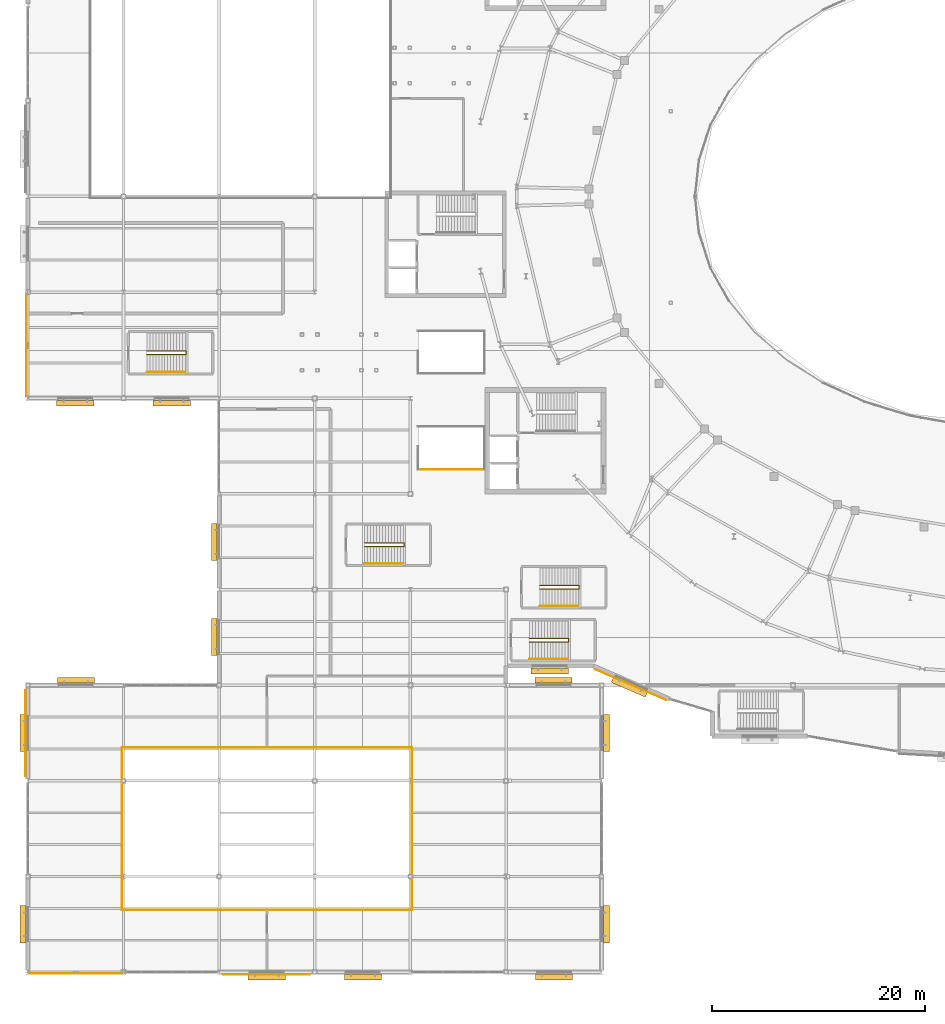
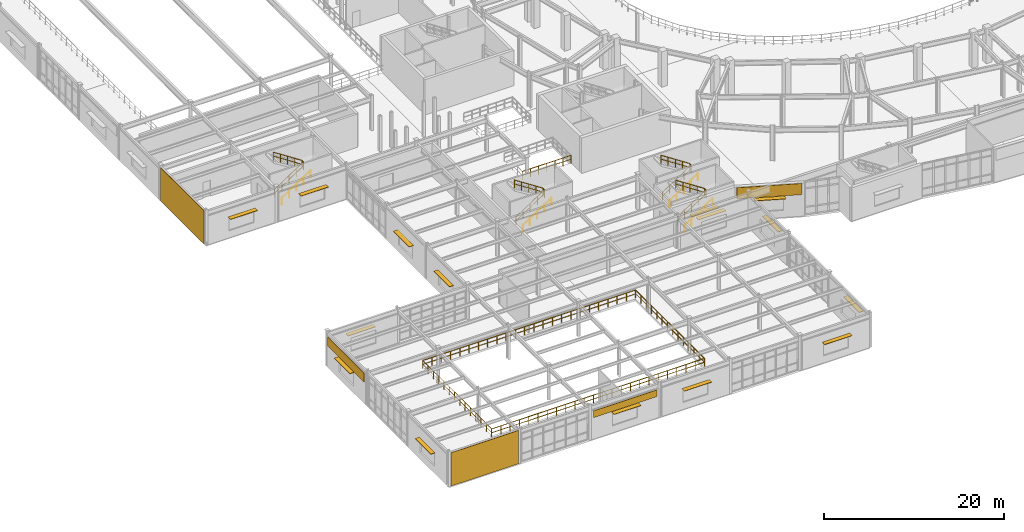
# One storey, part 81 of 86: 15 shading devices, 13 railings, 5 coverings.
"""IFC4 building model written with IfcOpenShell, lengths in metres."""

from ifc_helpers import new_model, si_unit, direction, frame, origin, origin_2d, place, context, subcontext, project, spatial, rectangle, circle, extrude, material, layer, layer_set, type_object, element, save


model = new_model("IFC4")

# Units and contexts
model_context = context("Model", 3, precision=1e-05, world=origin(), true_north=direction((0.0, 1.0)))
body_context = subcontext(model_context, "Body", "Model", "MODEL_VIEW")
ifc_project = project(units=[si_unit("LENGTHUNIT", "METRE"), si_unit("AREAUNIT", "SQUARE_METRE"), si_unit("VOLUMEUNIT", "CUBIC_METRE"), si_unit("PLANEANGLEUNIT", "RADIAN"), si_unit("MASSUNIT", "GRAM", prefix="KILO")], contexts=[model_context])

# Site, building, storey
site_placement = place(None, origin())
site = spatial("IfcSite", under=ifc_project, at=site_placement, CompositionType="ELEMENT")
building_placement = place(site_placement, origin())
building = spatial("IfcBuilding", under=site, at=building_placement, Name="Glasvene Arena", CompositionType="ELEMENT")
storey_placement = place(building_placement, frame((0.0, 0.0, 5.39990234375)))
storey = spatial("IfcBuildingStorey", under=building, at=storey_placement, Name="L01", CompositionType="ELEMENT", Elevation=5.39990234375)

# Coverings
ifc_material_1 = material(Name="Coursed pale Irish limestone", Category="masonry")
ifc_layer_1 = layer(ifc_material_1, 0.050048828125)
ifc_layer_set_1 = layer_set([ifc_layer_1], Name="Coursed pale Irish limestone")
covering_type = type_object("IfcCoveringType", Name="COV-CLAD-LIM", PredefinedType="CLADDING", material=ifc_layer_set_1)
covering_1_placement = place(storey_placement, frame((56.71044921875, 27.044189453125, 2.9501953125), z_axis=(0.0, 0.0, 1.0), x_axis=(-0.917407699357, 0.397948631308, 0.0)))
element("IfcCovering", 1, at=covering_1_placement, inside=storey, type_object=covering_type, Name="Irish limestone spandrel cladding EW-L01-0101", PredefinedType="CLADDING", context=body_context, shape_type="SweptSolid", body=[
    extrude(rectangle(XDim=7.310546875, YDim=0.050048828125, at=origin_2d()), origin(), (0.0, 0.0, 1.0), 1.52001953125),
])
covering_2_placement = place(storey_placement, frame((22.473388671875, -0.219970703125, 2.9501953125), z_axis=(0.0, 0.0, 1.0), x_axis=(-1.0, 0.0, 0.0)))
element("IfcCovering", 2, at=covering_2_placement, inside=storey, type_object=covering_type, Name="Irish limestone spandrel cladding EW-L01-0109", PredefinedType="CLADDING", context=body_context, shape_type="SweptSolid", body=[
    extrude(rectangle(XDim=8.142822265625, YDim=0.050048828125, at=origin_2d()), origin(), (0.0, 0.0, 1.0), 0.907470703125),
])
covering_3_placement = place(storey_placement, frame((4.473388671875, -0.139892578125, 0.0), z_axis=(0.0, 0.0, 1.0), x_axis=(-1.0, 0.0, 0.0)))
element("IfcCovering", 3, at=covering_3_placement, inside=storey, type_object=covering_type, Name="Braced bay architectural cladding screen L01-062", PredefinedType="CLADDING", context=body_context, shape_type="SweptSolid", body=[
    extrude(rectangle(XDim=8.682861328125, YDim=0.050048828125, at=origin_2d()), origin(), (0.0, 0.0, 1.0), 4.52001953125),
])
covering_4_placement = place(storey_placement, frame((-0.219970703125, 22.498291015625, 2.9501953125), z_axis=(0.0, 0.0, 1.0), x_axis=(0.0, 1.0, 0.0)))
element("IfcCovering", 4, at=covering_4_placement, inside=storey, type_object=covering_type, Name="Irish limestone spandrel cladding EW-L01-0111", PredefinedType="CLADDING", context=body_context, shape_type="SweptSolid", body=[
    extrude(rectangle(XDim=8.0927734375, YDim=0.050048828125, at=origin_2d()), origin(), (0.0, 0.0, 1.0), 1.215087890625),
])
covering_5_placement = place(storey_placement, frame((-0.139892578125, 58.9658203125, 0.0), z_axis=(0.0, 0.0, 1.0), x_axis=(0.0, 1.0, 0.0)))
element("IfcCovering", 5, at=covering_5_placement, inside=storey, type_object=covering_type, Name="Braced bay architectural cladding screen L01-073", PredefinedType="CLADDING", context=body_context, shape_type="SweptSolid", body=[
    extrude(rectangle(XDim=9.647216796875, YDim=0.050048828125, at=origin_2d()), origin(), (0.0, 0.0, 1.0), 4.52001953125),
])

# Railings
ifc_material_2 = material(Name="Brushed stainless steel", Category="steel")
railing_type_1 = type_object("IfcRailingType", Name="RL-GUARD-1100", PredefinedType="GUARDRAIL", material=ifc_material_2)
railing_1_placement = place(storey_placement, frame((48.199951171875, 36.06005859375, 0.0)))
element("IfcRailing", 6, at=railing_1_placement, inside=storey, type_object=railing_type_1, Name="Stair inner well continuous guardrail ST-05-L01", PredefinedType="GUARDRAIL", context=body_context, shape_type="SweptSolid", body=[
    extrude(circle(Radius=0.02392578125, at=origin_2d()), frame((0.0, 0.0, 1.076171875), z_axis=(0.837590697589, 0.0, 0.546298291515), x_axis=(0.0, 1.0, 0.0)), (0.0, 0.0, 1.0), 4.3935546875),
    extrude(circle(Radius=0.01611328125, at=origin_2d()), frame((0.0, 0.0, 0.550048828125), z_axis=(0.837590697589, 0.0, 0.546298291515), x_axis=(0.0, 1.0, 0.0)), (0.0, 0.0, 1.0), 4.3935546875),
    extrude(circle(Radius=0.02392578125, at=origin_2d()), frame((3.679931640625, 0.0, 3.47607421875), z_axis=(0.0, 1.0, 0.0), x_axis=(-1.0, 0.0, 0.0)), (0.0, 0.0, 1.0), 0.329833984375),
    extrude(circle(Radius=0.01611328125, at=origin_2d()), frame((3.679931640625, 0.0, 2.9501953125), z_axis=(0.0, 1.0, 0.0), x_axis=(-1.0, 0.0, 0.0)), (0.0, 0.0, 1.0), 0.329833984375),
    extrude(circle(Radius=0.02392578125, at=origin_2d()), frame((3.679931640625, 0.329833984375, 3.47607421875), z_axis=(-0.837616124378, 0.0, 0.546259304892), x_axis=(0.0, -1.0, 0.0)), (0.0, 0.0, 1.0), 4.393310546875),
    extrude(circle(Radius=0.01611328125, at=origin_2d()), frame((3.679931640625, 0.329833984375, 2.9501953125), z_axis=(-0.837616124378, 0.0, 0.546259304892), x_axis=(0.0, -1.0, 0.0)), (0.0, 0.0, 1.0), 4.393310546875),
    extrude(circle(Radius=0.02099609375, at=origin_2d()), origin(), (0.0, 0.0, 1.0), 1.052001953125),
    extrude(circle(Radius=0.02099609375, at=origin_2d()), frame((0.919921875, 0.0, 0.60009765625)), (0.0, 0.0, 1.0), 1.052001953125),
    extrude(circle(Radius=0.02099609375, at=origin_2d()), frame((1.83984375, 0.0, 1.2001953125)), (0.0, 0.0, 1.0), 1.052001953125),
    extrude(circle(Radius=0.02099609375, at=origin_2d()), frame((2.760009765625, 0.0, 1.800048828125)), (0.0, 0.0, 1.0), 1.052001953125),
    extrude(circle(Radius=0.02099609375, at=origin_2d()), frame((3.679931640625, 0.0, 2.400146484375)), (0.0, 0.0, 1.0), 1.052001953125),
    extrude(circle(Radius=0.02099609375, at=origin_2d()), frame((3.679931640625, 0.329833984375, 2.400146484375)), (0.0, 0.0, 1.0), 1.052001953125),
    extrude(circle(Radius=0.02099609375, at=origin_2d()), frame((2.760009765625, 0.329833984375, 3.0)), (0.0, 0.0, 1.0), 1.052001953125),
    extrude(circle(Radius=0.02099609375, at=origin_2d()), frame((1.83984375, 0.329833984375, 3.60009765625)), (0.0, 0.0, 1.0), 1.052001953125),
    extrude(circle(Radius=0.02099609375, at=origin_2d()), frame((0.919921875, 0.329833984375, 4.2001953125)), (0.0, 0.0, 1.0), 1.052001953125),
    extrude(circle(Radius=0.02099609375, at=origin_2d()), frame((0.0, 0.329833984375, 4.800048828125)), (0.0, 0.0, 1.0), 1.052001953125),
])
railing_2_placement = place(storey_placement, frame((11.199951171875, 58.110107421875, 0.0)))
element("IfcRailing", 7, at=railing_2_placement, inside=storey, type_object=railing_type_1, Name="Stair inner well continuous guardrail ST-13-L01", PredefinedType="GUARDRAIL", context=body_context, shape_type="SweptSolid", body=[
    extrude(circle(Radius=0.02392578125, at=origin_2d()), frame((0.0, 0.0, 1.076171875), z_axis=(0.837590697589, 0.0, 0.546298291515), x_axis=(0.0, 1.0, 0.0)), (0.0, 0.0, 1.0), 4.3935546875),
    extrude(circle(Radius=0.01611328125, at=origin_2d()), frame((0.0, 0.0, 0.550048828125), z_axis=(0.837590697589, 0.0, 0.546298291515), x_axis=(0.0, 1.0, 0.0)), (0.0, 0.0, 1.0), 4.3935546875),
    extrude(circle(Radius=0.02392578125, at=origin_2d()), frame((3.679931640625, 0.0, 3.47607421875), z_axis=(0.0, 1.0, 0.0), x_axis=(-1.0, 0.0, 0.0)), (0.0, 0.0, 1.0), 0.329833984375),
    extrude(circle(Radius=0.01611328125, at=origin_2d()), frame((3.679931640625, 0.0, 2.9501953125), z_axis=(0.0, 1.0, 0.0), x_axis=(-1.0, 0.0, 0.0)), (0.0, 0.0, 1.0), 0.329833984375),
    extrude(circle(Radius=0.02392578125, at=origin_2d()), frame((3.679931640625, 0.329833984375, 3.47607421875), z_axis=(-0.837616124378, 0.0, 0.546259304892), x_axis=(0.0, -1.0, 0.0)), (0.0, 0.0, 1.0), 4.393310546875),
    extrude(circle(Radius=0.01611328125, at=origin_2d()), frame((3.679931640625, 0.329833984375, 2.9501953125), z_axis=(-0.837616124378, 0.0, 0.546259304892), x_axis=(0.0, -1.0, 0.0)), (0.0, 0.0, 1.0), 4.393310546875),
    extrude(circle(Radius=0.02099609375, at=origin_2d()), origin(), (0.0, 0.0, 1.0), 1.052001953125),
    extrude(circle(Radius=0.02099609375, at=origin_2d()), frame((0.919921875, 0.0, 0.60009765625)), (0.0, 0.0, 1.0), 1.052001953125),
    extrude(circle(Radius=0.02099609375, at=origin_2d()), frame((1.83984375, 0.0, 1.2001953125)), (0.0, 0.0, 1.0), 1.052001953125),
    extrude(circle(Radius=0.02099609375, at=origin_2d()), frame((2.760009765625, 0.0, 1.800048828125)), (0.0, 0.0, 1.0), 1.052001953125),
    extrude(circle(Radius=0.02099609375, at=origin_2d()), frame((3.679931640625, 0.0, 2.400146484375)), (0.0, 0.0, 1.0), 1.052001953125),
    extrude(circle(Radius=0.02099609375, at=origin_2d()), frame((3.679931640625, 0.329833984375, 2.400146484375)), (0.0, 0.0, 1.0), 1.052001953125),
    extrude(circle(Radius=0.02099609375, at=origin_2d()), frame((2.760009765625, 0.329833984375, 3.0)), (0.0, 0.0, 1.0), 1.052001953125),
    extrude(circle(Radius=0.02099609375, at=origin_2d()), frame((1.83984375, 0.329833984375, 3.60009765625)), (0.0, 0.0, 1.0), 1.052001953125),
    extrude(circle(Radius=0.02099609375, at=origin_2d()), frame((0.919921875, 0.329833984375, 4.2001953125)), (0.0, 0.0, 1.0), 1.052001953125),
    extrude(circle(Radius=0.02099609375, at=origin_2d()), frame((0.0, 0.329833984375, 4.800048828125)), (0.0, 0.0, 1.0), 1.052001953125),
])
railing_3_placement = place(storey_placement, frame((31.699951171875, 40.06005859375, 0.0)))
element("IfcRailing", 8, at=railing_3_placement, inside=storey, type_object=railing_type_1, Name="Stair inner well continuous guardrail ST-15-L01", PredefinedType="GUARDRAIL", context=body_context, shape_type="SweptSolid", body=[
    extrude(circle(Radius=0.02392578125, at=origin_2d()), frame((0.0, 0.0, 1.076171875), z_axis=(0.837590697589, 0.0, 0.546298291515), x_axis=(0.0, 1.0, 0.0)), (0.0, 0.0, 1.0), 4.3935546875),
    extrude(circle(Radius=0.01611328125, at=origin_2d()), frame((0.0, 0.0, 0.550048828125), z_axis=(0.837590697589, 0.0, 0.546298291515), x_axis=(0.0, 1.0, 0.0)), (0.0, 0.0, 1.0), 4.3935546875),
    extrude(circle(Radius=0.02392578125, at=origin_2d()), frame((3.679931640625, 0.0, 3.47607421875), z_axis=(0.0, 1.0, 0.0), x_axis=(-1.0, 0.0, 0.0)), (0.0, 0.0, 1.0), 0.329833984375),
    extrude(circle(Radius=0.01611328125, at=origin_2d()), frame((3.679931640625, 0.0, 2.9501953125), z_axis=(0.0, 1.0, 0.0), x_axis=(-1.0, 0.0, 0.0)), (0.0, 0.0, 1.0), 0.329833984375),
    extrude(circle(Radius=0.02392578125, at=origin_2d()), frame((3.679931640625, 0.329833984375, 3.47607421875), z_axis=(-0.837616124378, 0.0, 0.546259304892), x_axis=(0.0, -1.0, 0.0)), (0.0, 0.0, 1.0), 4.393310546875),
    extrude(circle(Radius=0.01611328125, at=origin_2d()), frame((3.679931640625, 0.329833984375, 2.9501953125), z_axis=(-0.837616124378, 0.0, 0.546259304892), x_axis=(0.0, -1.0, 0.0)), (0.0, 0.0, 1.0), 4.393310546875),
    extrude(circle(Radius=0.02099609375, at=origin_2d()), origin(), (0.0, 0.0, 1.0), 1.052001953125),
    extrude(circle(Radius=0.02099609375, at=origin_2d()), frame((0.919921875, 0.0, 0.60009765625)), (0.0, 0.0, 1.0), 1.052001953125),
    extrude(circle(Radius=0.02099609375, at=origin_2d()), frame((1.83984375, 0.0, 1.2001953125)), (0.0, 0.0, 1.0), 1.052001953125),
    extrude(circle(Radius=0.02099609375, at=origin_2d()), frame((2.760009765625, 0.0, 1.800048828125)), (0.0, 0.0, 1.0), 1.052001953125),
    extrude(circle(Radius=0.02099609375, at=origin_2d()), frame((3.679931640625, 0.0, 2.400146484375)), (0.0, 0.0, 1.0), 1.052001953125),
    extrude(circle(Radius=0.02099609375, at=origin_2d()), frame((3.679931640625, 0.329833984375, 2.400146484375)), (0.0, 0.0, 1.0), 1.052001953125),
    extrude(circle(Radius=0.02099609375, at=origin_2d()), frame((2.760009765625, 0.329833984375, 3.0)), (0.0, 0.0, 1.0), 1.052001953125),
    extrude(circle(Radius=0.02099609375, at=origin_2d()), frame((1.83984375, 0.329833984375, 3.60009765625)), (0.0, 0.0, 1.0), 1.052001953125),
    extrude(circle(Radius=0.02099609375, at=origin_2d()), frame((0.919921875, 0.329833984375, 4.2001953125)), (0.0, 0.0, 1.0), 1.052001953125),
    extrude(circle(Radius=0.02099609375, at=origin_2d()), frame((0.0, 0.329833984375, 4.800048828125)), (0.0, 0.0, 1.0), 1.052001953125),
])
railing_4_placement = place(storey_placement, frame((47.199951171875, 31.06005859375, 0.0)))
element("IfcRailing", 9, at=railing_4_placement, inside=storey, type_object=railing_type_1, Name="Stair inner well continuous guardrail ST-16-L01", PredefinedType="GUARDRAIL", context=body_context, shape_type="SweptSolid", body=[
    extrude(circle(Radius=0.02392578125, at=origin_2d()), frame((0.0, 0.0, 1.076171875), z_axis=(0.837590697589, 0.0, 0.546298291515), x_axis=(0.0, 1.0, 0.0)), (0.0, 0.0, 1.0), 4.3935546875),
    extrude(circle(Radius=0.01611328125, at=origin_2d()), frame((0.0, 0.0, 0.550048828125), z_axis=(0.837590697589, 0.0, 0.546298291515), x_axis=(0.0, 1.0, 0.0)), (0.0, 0.0, 1.0), 4.3935546875),
    extrude(circle(Radius=0.02392578125, at=origin_2d()), frame((3.679931640625, 0.0, 3.47607421875), z_axis=(0.0, 1.0, 0.0), x_axis=(-1.0, 0.0, 0.0)), (0.0, 0.0, 1.0), 0.329833984375),
    extrude(circle(Radius=0.01611328125, at=origin_2d()), frame((3.679931640625, 0.0, 2.9501953125), z_axis=(0.0, 1.0, 0.0), x_axis=(-1.0, 0.0, 0.0)), (0.0, 0.0, 1.0), 0.329833984375),
    extrude(circle(Radius=0.02392578125, at=origin_2d()), frame((3.679931640625, 0.329833984375, 3.47607421875), z_axis=(-0.837616124378, 0.0, 0.546259304892), x_axis=(0.0, -1.0, 0.0)), (0.0, 0.0, 1.0), 4.393310546875),
    extrude(circle(Radius=0.01611328125, at=origin_2d()), frame((3.679931640625, 0.329833984375, 2.9501953125), z_axis=(-0.837616124378, 0.0, 0.546259304892), x_axis=(0.0, -1.0, 0.0)), (0.0, 0.0, 1.0), 4.393310546875),
    extrude(circle(Radius=0.02099609375, at=origin_2d()), origin(), (0.0, 0.0, 1.0), 1.052001953125),
    extrude(circle(Radius=0.02099609375, at=origin_2d()), frame((0.919921875, 0.0, 0.60009765625)), (0.0, 0.0, 1.0), 1.052001953125),
    extrude(circle(Radius=0.02099609375, at=origin_2d()), frame((1.83984375, 0.0, 1.2001953125)), (0.0, 0.0, 1.0), 1.052001953125),
    extrude(circle(Radius=0.02099609375, at=origin_2d()), frame((2.760009765625, 0.0, 1.800048828125)), (0.0, 0.0, 1.0), 1.052001953125),
    extrude(circle(Radius=0.02099609375, at=origin_2d()), frame((3.679931640625, 0.0, 2.400146484375)), (0.0, 0.0, 1.0), 1.052001953125),
    extrude(circle(Radius=0.02099609375, at=origin_2d()), frame((3.679931640625, 0.329833984375, 2.400146484375)), (0.0, 0.0, 1.0), 1.052001953125),
    extrude(circle(Radius=0.02099609375, at=origin_2d()), frame((2.760009765625, 0.329833984375, 3.0)), (0.0, 0.0, 1.0), 1.052001953125),
    extrude(circle(Radius=0.02099609375, at=origin_2d()), frame((1.83984375, 0.329833984375, 3.60009765625)), (0.0, 0.0, 1.0), 1.052001953125),
    extrude(circle(Radius=0.02099609375, at=origin_2d()), frame((0.919921875, 0.329833984375, 4.2001953125)), (0.0, 0.0, 1.0), 1.052001953125),
    extrude(circle(Radius=0.02099609375, at=origin_2d()), frame((0.0, 0.329833984375, 4.800048828125)), (0.0, 0.0, 1.0), 1.052001953125),
])
railing_5_placement = place(storey_placement, frame((36.719970703125, 47.320068359375, 0.0)))
element("IfcRailing", 10, at=railing_5_placement, inside=storey, type_object=railing_type_1, Name="Safety guardrail GD-VOM-01-TOP-002", PredefinedType="GUARDRAIL", context=body_context, shape_type="SweptSolid", body=[
    extrude(circle(Radius=0.02392578125, at=origin_2d()), frame((0.0, 0.0, 1.076171875), z_axis=(1.0, 0.0, 0.0), x_axis=(0.0, 1.0, 0.0)), (0.0, 0.0, 1.0), 6.260009765625),
    extrude(circle(Radius=0.01611328125, at=origin_2d()), frame((0.0, 0.0, 0.550048828125), z_axis=(1.0, 0.0, 0.0), x_axis=(0.0, 1.0, 0.0)), (0.0, 0.0, 1.0), 6.260009765625),
    extrude(circle(Radius=0.02099609375, at=origin_2d()), origin(), (0.0, 0.0, 1.0), 1.052001953125),
    extrude(circle(Radius=0.02099609375, at=origin_2d()), frame((1.04345703125, 0.0, 0.0)), (0.0, 0.0, 1.0), 1.052001953125),
    extrude(circle(Radius=0.02099609375, at=origin_2d()), frame((2.086669921875, 0.0, 0.0)), (0.0, 0.0, 1.0), 1.052001953125),
    extrude(circle(Radius=0.02099609375, at=origin_2d()), frame((3.1298828125, 0.0, 0.0)), (0.0, 0.0, 1.0), 1.052001953125),
    extrude(circle(Radius=0.02099609375, at=origin_2d()), frame((4.17333984375, 0.0, 0.0)), (0.0, 0.0, 1.0), 1.052001953125),
    extrude(circle(Radius=0.02099609375, at=origin_2d()), frame((5.216796875, 0.0, 0.0)), (0.0, 0.0, 1.0), 1.052001953125),
    extrude(circle(Radius=0.02099609375, at=origin_2d()), frame((6.260009765625, 0.0, 0.0)), (0.0, 0.0, 1.0), 1.052001953125),
])
railing_6_placement = place(storey_placement, frame((8.85009765625, 5.85009765625, 0.0)))
element("IfcRailing", 11, at=railing_6_placement, inside=storey, type_object=railing_type_1, Name="Safety guardrail GD-ATR-FOY-001", PredefinedType="GUARDRAIL", context=body_context, shape_type="SweptSolid", body=[
    extrude(circle(Radius=0.02392578125, at=origin_2d()), frame((0.0, 0.0, 1.076171875), z_axis=(1.0, 0.0, 0.0), x_axis=(0.0, 1.0, 0.0)), (0.0, 0.0, 1.0), 27.2998046875),
    extrude(circle(Radius=0.01611328125, at=origin_2d()), frame((0.0, 0.0, 0.550048828125), z_axis=(1.0, 0.0, 0.0), x_axis=(0.0, 1.0, 0.0)), (0.0, 0.0, 1.0), 27.2998046875),
    extrude(circle(Radius=0.02099609375, at=origin_2d()), origin(), (0.0, 0.0, 1.0), 1.052001953125),
    extrude(circle(Radius=0.02099609375, at=origin_2d()), frame((1.18701171875, 0.0, 0.0)), (0.0, 0.0, 1.0), 1.052001953125),
    extrude(circle(Radius=0.02099609375, at=origin_2d()), frame((2.373779296875, 0.0, 0.0)), (0.0, 0.0, 1.0), 1.052001953125),
    extrude(circle(Radius=0.02099609375, at=origin_2d()), frame((3.560791015625, 0.0, 0.0)), (0.0, 0.0, 1.0), 1.052001953125),
    extrude(circle(Radius=0.02099609375, at=origin_2d()), frame((4.747802734375, 0.0, 0.0)), (0.0, 0.0, 1.0), 1.052001953125),
    extrude(circle(Radius=0.02099609375, at=origin_2d()), frame((5.934814453125, 0.0, 0.0)), (0.0, 0.0, 1.0), 1.052001953125),
    extrude(circle(Radius=0.02099609375, at=origin_2d()), frame((7.12158203125, 0.0, 0.0)), (0.0, 0.0, 1.0), 1.052001953125),
    extrude(circle(Radius=0.02099609375, at=origin_2d()), frame((8.30859375, 0.0, 0.0)), (0.0, 0.0, 1.0), 1.052001953125),
    extrude(circle(Radius=0.02099609375, at=origin_2d()), frame((9.49560546875, 0.0, 0.0)), (0.0, 0.0, 1.0), 1.052001953125),
    extrude(circle(Radius=0.02099609375, at=origin_2d()), frame((10.6826171875, 0.0, 0.0)), (0.0, 0.0, 1.0), 1.052001953125),
    extrude(circle(Radius=0.02099609375, at=origin_2d()), frame((11.869384765625, 0.0, 0.0)), (0.0, 0.0, 1.0), 1.052001953125),
    extrude(circle(Radius=0.02099609375, at=origin_2d()), frame((13.056396484375, 0.0, 0.0)), (0.0, 0.0, 1.0), 1.052001953125),
    extrude(circle(Radius=0.02099609375, at=origin_2d()), frame((14.243408203125, 0.0, 0.0)), (0.0, 0.0, 1.0), 1.052001953125),
    extrude(circle(Radius=0.02099609375, at=origin_2d()), frame((15.430419921875, 0.0, 0.0)), (0.0, 0.0, 1.0), 1.052001953125),
    extrude(circle(Radius=0.02099609375, at=origin_2d()), frame((16.6171875, 0.0, 0.0)), (0.0, 0.0, 1.0), 1.052001953125),
    extrude(circle(Radius=0.02099609375, at=origin_2d()), frame((17.80419921875, 0.0, 0.0)), (0.0, 0.0, 1.0), 1.052001953125),
    extrude(circle(Radius=0.02099609375, at=origin_2d()), frame((18.9912109375, 0.0, 0.0)), (0.0, 0.0, 1.0), 1.052001953125),
    extrude(circle(Radius=0.02099609375, at=origin_2d()), frame((20.17822265625, 0.0, 0.0)), (0.0, 0.0, 1.0), 1.052001953125),
    extrude(circle(Radius=0.02099609375, at=origin_2d()), frame((21.364990234375, 0.0, 0.0)), (0.0, 0.0, 1.0), 1.052001953125),
    extrude(circle(Radius=0.02099609375, at=origin_2d()), frame((22.552001953125, 0.0, 0.0)), (0.0, 0.0, 1.0), 1.052001953125),
    extrude(circle(Radius=0.02099609375, at=origin_2d()), frame((23.739013671875, 0.0, 0.0)), (0.0, 0.0, 1.0), 1.052001953125),
    extrude(circle(Radius=0.02099609375, at=origin_2d()), frame((24.926025390625, 0.0, 0.0)), (0.0, 0.0, 1.0), 1.052001953125),
    extrude(circle(Radius=0.02099609375, at=origin_2d()), frame((26.11279296875, 0.0, 0.0)), (0.0, 0.0, 1.0), 1.052001953125),
    extrude(circle(Radius=0.02099609375, at=origin_2d()), frame((27.2998046875, 0.0, 0.0)), (0.0, 0.0, 1.0), 1.052001953125),
])
railing_7_placement = place(storey_placement, frame((36.14990234375, 5.85009765625, 0.0)))
element("IfcRailing", 12, at=railing_7_placement, inside=storey, type_object=railing_type_1, Name="Safety guardrail GD-ATR-FOY-002", PredefinedType="GUARDRAIL", context=body_context, shape_type="SweptSolid", body=[
    extrude(circle(Radius=0.02392578125, at=origin_2d()), frame((0.0, 0.0, 1.076171875), z_axis=(0.0, 1.0, 0.0), x_axis=(-1.0, 0.0, 0.0)), (0.0, 0.0, 1.0), 15.2998046875),
    extrude(circle(Radius=0.01611328125, at=origin_2d()), frame((0.0, 0.0, 0.550048828125), z_axis=(0.0, 1.0, 0.0), x_axis=(-1.0, 0.0, 0.0)), (0.0, 0.0, 1.0), 15.2998046875),
    extrude(circle(Radius=0.02099609375, at=origin_2d()), origin(), (0.0, 0.0, 1.0), 1.052001953125),
    extrude(circle(Radius=0.02099609375, at=origin_2d()), frame((0.0, 1.177001953125, 0.0)), (0.0, 0.0, 1.0), 1.052001953125),
    extrude(circle(Radius=0.02099609375, at=origin_2d()), frame((0.0, 2.353759765625, 0.0)), (0.0, 0.0, 1.0), 1.052001953125),
    extrude(circle(Radius=0.02099609375, at=origin_2d()), frame((0.0, 3.53076171875, 0.0)), (0.0, 0.0, 1.0), 1.052001953125),
    extrude(circle(Radius=0.02099609375, at=origin_2d()), frame((0.0, 4.70751953125, 0.0)), (0.0, 0.0, 1.0), 1.052001953125),
    extrude(circle(Radius=0.02099609375, at=origin_2d()), frame((0.0, 5.884521484375, 0.0)), (0.0, 0.0, 1.0), 1.052001953125),
    extrude(circle(Radius=0.02099609375, at=origin_2d()), frame((0.0, 7.0615234375, 0.0)), (0.0, 0.0, 1.0), 1.052001953125),
    extrude(circle(Radius=0.02099609375, at=origin_2d()), frame((0.0, 8.23828125, 0.0)), (0.0, 0.0, 1.0), 1.052001953125),
    extrude(circle(Radius=0.02099609375, at=origin_2d()), frame((0.0, 9.415283203125, 0.0)), (0.0, 0.0, 1.0), 1.052001953125),
    extrude(circle(Radius=0.02099609375, at=origin_2d()), frame((0.0, 10.59228515625, 0.0)), (0.0, 0.0, 1.0), 1.052001953125),
    extrude(circle(Radius=0.02099609375, at=origin_2d()), frame((0.0, 11.76904296875, 0.0)), (0.0, 0.0, 1.0), 1.052001953125),
    extrude(circle(Radius=0.02099609375, at=origin_2d()), frame((0.0, 12.946044921875, 0.0)), (0.0, 0.0, 1.0), 1.052001953125),
    extrude(circle(Radius=0.02099609375, at=origin_2d()), frame((0.0, 14.122802734375, 0.0)), (0.0, 0.0, 1.0), 1.052001953125),
    extrude(circle(Radius=0.02099609375, at=origin_2d()), frame((0.0, 15.2998046875, 0.0)), (0.0, 0.0, 1.0), 1.052001953125),
])
railing_8_placement = place(storey_placement, frame((36.14990234375, 21.14990234375, 0.0)))
element("IfcRailing", 13, at=railing_8_placement, inside=storey, type_object=railing_type_1, Name="Safety guardrail GD-ATR-FOY-003", PredefinedType="GUARDRAIL", context=body_context, shape_type="SweptSolid", body=[
    extrude(circle(Radius=0.02392578125, at=origin_2d()), frame((0.0, 0.0, 1.076171875), z_axis=(-1.0, 0.0, 0.0), x_axis=(0.0, -1.0, 0.0)), (0.0, 0.0, 1.0), 27.2998046875),
    extrude(circle(Radius=0.01611328125, at=origin_2d()), frame((0.0, 0.0, 0.550048828125), z_axis=(-1.0, 0.0, 0.0), x_axis=(0.0, -1.0, 0.0)), (0.0, 0.0, 1.0), 27.2998046875),
    extrude(circle(Radius=0.02099609375, at=origin_2d()), origin(), (0.0, 0.0, 1.0), 1.052001953125),
    extrude(circle(Radius=0.02099609375, at=origin_2d()), frame((-1.18701171875, 0.0, 0.0)), (0.0, 0.0, 1.0), 1.052001953125),
    extrude(circle(Radius=0.02099609375, at=origin_2d()), frame((-2.373779296875, 0.0, 0.0)), (0.0, 0.0, 1.0), 1.052001953125),
    extrude(circle(Radius=0.02099609375, at=origin_2d()), frame((-3.560791015625, 0.0, 0.0)), (0.0, 0.0, 1.0), 1.052001953125),
    extrude(circle(Radius=0.02099609375, at=origin_2d()), frame((-4.747802734375, 0.0, 0.0)), (0.0, 0.0, 1.0), 1.052001953125),
    extrude(circle(Radius=0.02099609375, at=origin_2d()), frame((-5.934814453125, 0.0, 0.0)), (0.0, 0.0, 1.0), 1.052001953125),
    extrude(circle(Radius=0.02099609375, at=origin_2d()), frame((-7.12158203125, 0.0, 0.0)), (0.0, 0.0, 1.0), 1.052001953125),
    extrude(circle(Radius=0.02099609375, at=origin_2d()), frame((-8.30859375, 0.0, 0.0)), (0.0, 0.0, 1.0), 1.052001953125),
    extrude(circle(Radius=0.02099609375, at=origin_2d()), frame((-9.49560546875, 0.0, 0.0)), (0.0, 0.0, 1.0), 1.052001953125),
    extrude(circle(Radius=0.02099609375, at=origin_2d()), frame((-10.6826171875, 0.0, 0.0)), (0.0, 0.0, 1.0), 1.052001953125),
    extrude(circle(Radius=0.02099609375, at=origin_2d()), frame((-11.869384765625, 0.0, 0.0)), (0.0, 0.0, 1.0), 1.052001953125),
    extrude(circle(Radius=0.02099609375, at=origin_2d()), frame((-13.056396484375, 0.0, 0.0)), (0.0, 0.0, 1.0), 1.052001953125),
    extrude(circle(Radius=0.02099609375, at=origin_2d()), frame((-14.243408203125, 0.0, 0.0)), (0.0, 0.0, 1.0), 1.052001953125),
    extrude(circle(Radius=0.02099609375, at=origin_2d()), frame((-15.430419921875, 0.0, 0.0)), (0.0, 0.0, 1.0), 1.052001953125),
    extrude(circle(Radius=0.02099609375, at=origin_2d()), frame((-16.6171875, 0.0, 0.0)), (0.0, 0.0, 1.0), 1.052001953125),
    extrude(circle(Radius=0.02099609375, at=origin_2d()), frame((-17.80419921875, 0.0, 0.0)), (0.0, 0.0, 1.0), 1.052001953125),
    extrude(circle(Radius=0.02099609375, at=origin_2d()), frame((-18.9912109375, 0.0, 0.0)), (0.0, 0.0, 1.0), 1.052001953125),
    extrude(circle(Radius=0.02099609375, at=origin_2d()), frame((-20.17822265625, 0.0, 0.0)), (0.0, 0.0, 1.0), 1.052001953125),
    extrude(circle(Radius=0.02099609375, at=origin_2d()), frame((-21.364990234375, 0.0, 0.0)), (0.0, 0.0, 1.0), 1.052001953125),
    extrude(circle(Radius=0.02099609375, at=origin_2d()), frame((-22.552001953125, 0.0, 0.0)), (0.0, 0.0, 1.0), 1.052001953125),
    extrude(circle(Radius=0.02099609375, at=origin_2d()), frame((-23.739013671875, 0.0, 0.0)), (0.0, 0.0, 1.0), 1.052001953125),
    extrude(circle(Radius=0.02099609375, at=origin_2d()), frame((-24.926025390625, 0.0, 0.0)), (0.0, 0.0, 1.0), 1.052001953125),
    extrude(circle(Radius=0.02099609375, at=origin_2d()), frame((-26.11279296875, 0.0, 0.0)), (0.0, 0.0, 1.0), 1.052001953125),
    extrude(circle(Radius=0.02099609375, at=origin_2d()), frame((-27.2998046875, 0.0, 0.0)), (0.0, 0.0, 1.0), 1.052001953125),
])
railing_9_placement = place(storey_placement, frame((8.85009765625, 21.14990234375, 0.0)))
element("IfcRailing", 14, at=railing_9_placement, inside=storey, type_object=railing_type_1, Name="Safety guardrail GD-ATR-FOY-004", PredefinedType="GUARDRAIL", context=body_context, shape_type="SweptSolid", body=[
    extrude(circle(Radius=0.02392578125, at=origin_2d()), frame((0.0, 0.0, 1.076171875), z_axis=(0.0, -1.0, 0.0), x_axis=(1.0, 0.0, 0.0)), (0.0, 0.0, 1.0), 15.2998046875),
    extrude(circle(Radius=0.01611328125, at=origin_2d()), frame((0.0, 0.0, 0.550048828125), z_axis=(0.0, -1.0, 0.0), x_axis=(1.0, 0.0, 0.0)), (0.0, 0.0, 1.0), 15.2998046875),
    extrude(circle(Radius=0.02099609375, at=origin_2d()), origin(), (0.0, 0.0, 1.0), 1.052001953125),
    extrude(circle(Radius=0.02099609375, at=origin_2d()), frame((0.0, -1.177001953125, 0.0)), (0.0, 0.0, 1.0), 1.052001953125),
    extrude(circle(Radius=0.02099609375, at=origin_2d()), frame((0.0, -2.353759765625, 0.0)), (0.0, 0.0, 1.0), 1.052001953125),
    extrude(circle(Radius=0.02099609375, at=origin_2d()), frame((0.0, -3.53076171875, 0.0)), (0.0, 0.0, 1.0), 1.052001953125),
    extrude(circle(Radius=0.02099609375, at=origin_2d()), frame((0.0, -4.70751953125, 0.0)), (0.0, 0.0, 1.0), 1.052001953125),
    extrude(circle(Radius=0.02099609375, at=origin_2d()), frame((0.0, -5.884521484375, 0.0)), (0.0, 0.0, 1.0), 1.052001953125),
    extrude(circle(Radius=0.02099609375, at=origin_2d()), frame((0.0, -7.0615234375, 0.0)), (0.0, 0.0, 1.0), 1.052001953125),
    extrude(circle(Radius=0.02099609375, at=origin_2d()), frame((0.0, -8.23828125, 0.0)), (0.0, 0.0, 1.0), 1.052001953125),
    extrude(circle(Radius=0.02099609375, at=origin_2d()), frame((0.0, -9.415283203125, 0.0)), (0.0, 0.0, 1.0), 1.052001953125),
    extrude(circle(Radius=0.02099609375, at=origin_2d()), frame((0.0, -10.59228515625, 0.0)), (0.0, 0.0, 1.0), 1.052001953125),
    extrude(circle(Radius=0.02099609375, at=origin_2d()), frame((0.0, -11.76904296875, 0.0)), (0.0, 0.0, 1.0), 1.052001953125),
    extrude(circle(Radius=0.02099609375, at=origin_2d()), frame((0.0, -12.946044921875, 0.0)), (0.0, 0.0, 1.0), 1.052001953125),
    extrude(circle(Radius=0.02099609375, at=origin_2d()), frame((0.0, -14.122802734375, 0.0)), (0.0, 0.0, 1.0), 1.052001953125),
    extrude(circle(Radius=0.02099609375, at=origin_2d()), frame((0.0, -15.2998046875, 0.0)), (0.0, 0.0, 1.0), 1.052001953125),
])
railing_type_2 = type_object("IfcRailingType", Name="RL-HAND-950", PredefinedType="HANDRAIL", material=ifc_material_2)
for number, where, name in (
    (15, (48.199951171875, 34.4599609375, 0.0), "Stair wall handrail ST-05-L01"),
    (16, (11.199951171875, 56.4599609375, 0.0), "Stair wall handrail ST-13-L01"),
    (17, (31.699951171875, 38.4599609375, 0.0), "Stair wall handrail ST-15-L01"),
    (18, (47.199951171875, 29.4599609375, 0.0), "Stair wall handrail ST-16-L01"),
):
    element("IfcRailing", number, at=place(storey_placement, frame(where)), inside=storey, type_object=railing_type_2, Name=name, PredefinedType="HANDRAIL", context=body_context, shape_type="SweptSolid", body=[
        extrude(circle(Radius=0.02392578125, at=origin_2d()), frame((0.0, 0.0, 0.92578125), z_axis=(0.834856447115, 0.0, 0.55046772177), x_axis=(0.0, 1.0, 0.0)), (0.0, 0.0, 1.0), 4.360107421875),
        extrude(circle(Radius=0.02099609375, at=origin_2d()), origin(), (0.0, 0.0, 1.0), 0.90185546875),
        extrude(circle(Radius=0.02099609375, at=origin_2d()), frame((0.91015625, 0.0, 0.60009765625)), (0.0, 0.0, 1.0), 0.90185546875),
        extrude(circle(Radius=0.02099609375, at=origin_2d()), frame((1.820068359375, 0.0, 1.2001953125)), (0.0, 0.0, 1.0), 0.90185546875),
        extrude(circle(Radius=0.02099609375, at=origin_2d()), frame((2.72998046875, 0.0, 1.800048828125)), (0.0, 0.0, 1.0), 0.90185546875),
        extrude(circle(Radius=0.02099609375, at=origin_2d()), frame((3.64013671875, 0.0, 2.400146484375)), (0.0, 0.0, 1.0), 0.90185546875),
    ])

# Shading devices
ifc_material_3 = material(Name="Warm bronze architectural aluminium", Category="aluminium")
ifc_layer_2 = layer(ifc_material_3, 0.06005859375)
ifc_layer_set_2 = layer_set([ifc_layer_2], Name="Warm bronze architectural aluminium")
shading_device_type = type_object("IfcShadingDeviceType", Name="SHD-BRONZE-FIN", PredefinedType="USERDEFINED", material=ifc_layer_set_2)
for number, where, z_axis, x_axis, name in (
    (19, (56.613037109375, 26.819580078125, 2.820068359375), (0.0, 0.0, 1.0), (-0.917407699357, 0.397948631308, 0.0), "Warm bronze brise-soleil fin BS-025"),
    (20, (49.107666015625, 28.3349609375, 2.820068359375), (0.0, 0.0, 1.0), (-1.0, 0.0, 0.0), "Warm bronze brise-soleil fin BS-026"),
    (21, (49.473388671875, 27.465087890625, 2.820068359375), (0.0, 0.0, 1.0), (1.0, 0.0, 0.0), "Warm bronze brise-soleil fin BS-027"),
    (22, (54.465087890625, 22.498291015625, 2.820068359375), (0.0, 0.0, 1.0), (0.0, -1.0, 0.0), "Warm bronze brise-soleil fin BS-028"),
    (23, (54.465087890625, 4.498291015625, 2.820068359375), (0.0, 0.0, 1.0), (0.0, -1.0, 0.0), "Warm bronze brise-soleil fin BS-029"),
    (24, (49.526611328125, -0.465087890625, 2.820068359375), (0.0, 0.0, 1.0), (-1.0, 0.0, 0.0), "Warm bronze brise-soleil fin BS-030"),
    (25, (31.526611328125, -0.465087890625, 2.820068359375), (0.0, 0.0, 1.0), (-1.0, 0.0, 0.0), "Warm bronze brise-soleil fin BS-031"),
    (26, (22.473388671875, -0.465087890625, 2.820068359375), (0.0, 0.0, 1.0), (-1.0, 0.0, 0.0), "Warm bronze brise-soleil fin BS-032"),
    (27, (-0.465087890625, 4.498291015625, 2.820068359375), (0.0, 0.0, 1.0), (0.0, 1.0, 0.0), "Warm bronze brise-soleil fin BS-033"),
    (28, (-0.465087890625, 22.498291015625, 2.820068359375), (0.0, 0.0, 1.0), (0.0, 1.0, 0.0), "Warm bronze brise-soleil fin BS-034"),
    (29, (4.526611328125, 27.465087890625, 2.820068359375), (0.0, 0.0, 1.0), (1.0, 0.0, 0.0), "Warm bronze brise-soleil fin BS-035"),
    (30, (17.534912109375, 31.53662109375, 2.820068359375), (0.0, 0.0, 1.0), (0.0, 1.0, 0.0), "Warm bronze brise-soleil fin BS-036"),
    (31, (17.534912109375, 40.489990234375, 2.820068359375), (0.0, 0.0, 1.0), (0.0, 1.0, 0.0), "Warm bronze brise-soleil fin BS-037"),
    (32, (13.536865234375, 53.534912109375, 2.820068359375), (0.0, 0.0, 1.0), (-1.0, 0.0, 0.0), "Warm bronze brise-soleil fin BS-038"),
    (33, (4.462890625, 53.534912109375, 2.820068359375), (0.0, 0.0, 1.0), (-1.0, 0.0, 0.0), "Warm bronze brise-soleil fin BS-039"),
):
    element("IfcShadingDevice", number, at=place(storey_placement, frame(where, z_axis=z_axis, x_axis=x_axis)), inside=storey, type_object=shading_device_type, Name=name, ObjectType="BRISE SOLEIL", PredefinedType="USERDEFINED", context=body_context, shape_type="SweptSolid", body=[
        extrude(rectangle(XDim=3.5, YDim=0.550048828125, at=origin_2d()), origin(), (0.0, 0.0, 1.0), 0.06005859375),
    ])

save(model, "model.ifc")
